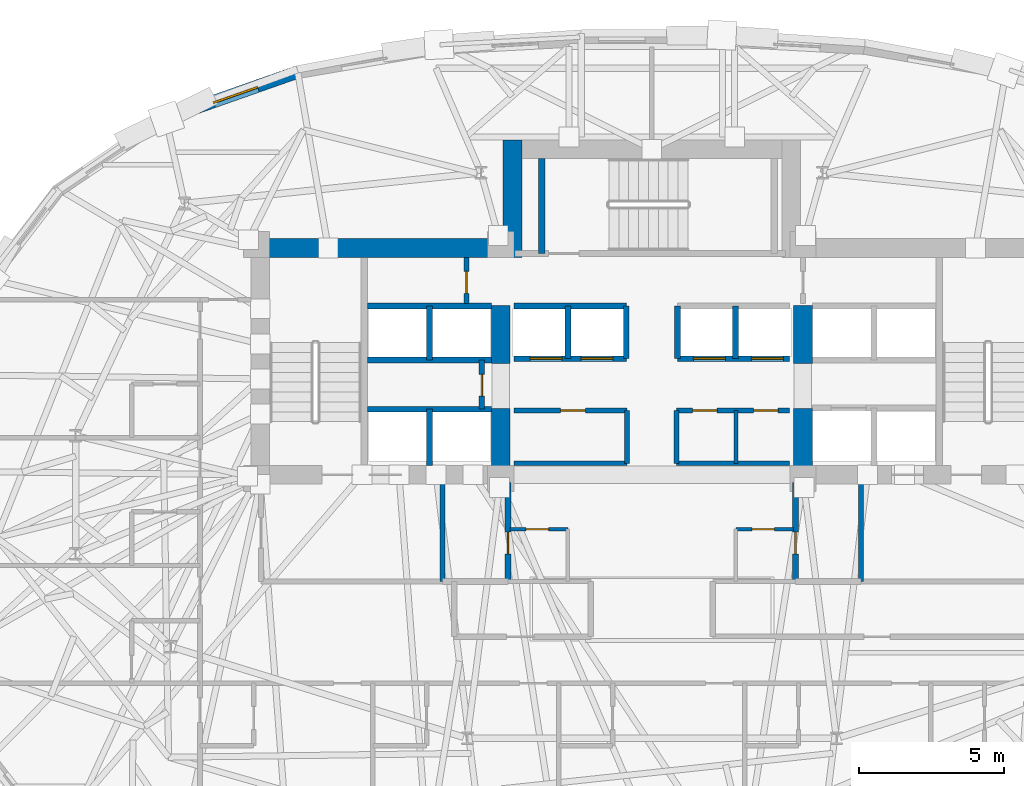
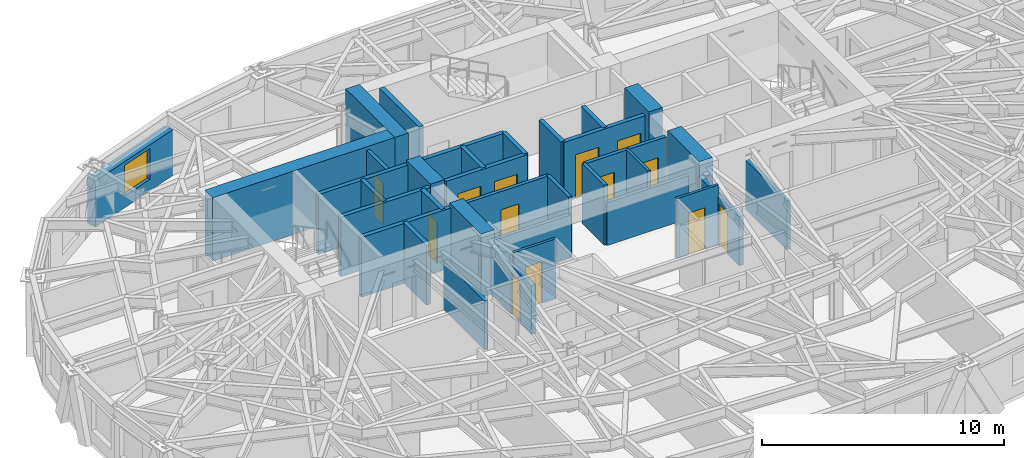
# One storey, part 8 of 15: 35 walls, 13 doors, 1 window, 14 openings.
"""IFC4 building model written with IfcOpenShell, lengths in metres."""

from ifc_helpers import new_model, si_unit, direction, frame, frame_2d, origin, place, context, subcontext, project, spatial, rectangle, extrude, material, layer, layer_set, type_object, element, fill, save


model = new_model("IFC4")

# Units and contexts
model_context = context("Model", 3, precision=1e-05, world=origin(), true_north=direction((0.0, 1.0)))
body_context = subcontext(model_context, "Body", "Model", "MODEL_VIEW")
ifc_project = project(units=[si_unit("LENGTHUNIT", "METRE"), si_unit("AREAUNIT", "SQUARE_METRE"), si_unit("VOLUMEUNIT", "CUBIC_METRE"), si_unit("PLANEANGLEUNIT", "RADIAN"), si_unit("MASSUNIT", "GRAM", prefix="KILO")], contexts=[model_context])

# Site, building, storey
site_placement = place(None, origin())
site = spatial("IfcSite", under=ifc_project, at=site_placement, CompositionType="ELEMENT")
building_placement = place(site_placement, origin())
building = spatial("IfcBuilding", under=site, at=building_placement, Name="Keldmark Tower", CompositionType="ELEMENT")
storey_placement = place(building_placement, frame((0.0, 0.0, 143.800048828125)))
storey = spatial("IfcBuildingStorey", under=building, at=storey_placement, Name="L38", CompositionType="ELEMENT", Elevation=143.800048828125)

# Wall, opening, door
ifc_material_1 = material(Name="Acoustic Gypsum Board Interior Partition", Category="gypsum")
ifc_layer_1 = layer(ifc_material_1, 0.1298828125)
ifc_layer_set_1 = layer_set([ifc_layer_1], Name="Acoustic Gypsum Board Interior Partition")
wall_type_1 = type_object("IfcWallType", Name="Interior Partition 130 mm", PredefinedType="PARTITIONING", material=ifc_layer_set_1)
wall_1_placement = place(storey_placement, frame((-4.8798828125, -0.35009765625, 0.0), z_axis=(0.0, 0.0, 1.0), x_axis=(1.0, 0.0, 0.0)))
wall_1 = element("IfcWall", 1, at=wall_1_placement, inside=storey, type_object=wall_type_1, Name="L38 Interior Partition 130 mm CSC-W-N", PredefinedType="PARTITIONING", context=body_context, shape_type="SweptSolid", body=[
    extrude(rectangle(XDim=1.989990234375, YDim=0.1298828125, at=frame_2d((0.9951171875, 0.0))), origin(), (0.0, 0.0, 1.0), 3.02001953125),
])
opening_1_placement = place(wall_1_placement, frame((0.550048828125, 0.0, 0.0)))
opening_1 = element("IfcOpeningElement", 2, at=opening_1_placement, cuts=wall_1, Name="Opening D-CL078", PredefinedType="OPENING", context=body_context, shape_type="SweptSolid", body=[
    extrude(rectangle(XDim=0.780029296875, YDim=2.10009765625, at=frame_2d((0.39013671875, 1.050048828125))), frame((0.0, 0.074951171875, 0.0), z_axis=(0.0, -1.0, 0.0), x_axis=(1.0, 0.0, 0.0)), (0.0, 0.0, 1.0), 0.14990234375),
])
ifc_material_2 = material(Name="Flush Utility Closet Timber Door", Category="wood")
door_type_1 = type_object("IfcDoorType", Name="Closet Door 780x2100", OperationType="NOTDEFINED", PredefinedType="DOOR", material=ifc_material_2)
door_1_placement = place(opening_1_placement, origin())
door_1 = element("IfcDoor", 3, at=door_1_placement, inside=storey, type_object=door_type_1, Name="L38 Closet Door 780x2100 D-CSCW1-L38", OperationType="SINGLE_SWING_LEFT", OverallHeight=2.10009765625, OverallWidth=0.780029296875, PredefinedType="DOOR", context=body_context, shape_type="SweptSolid", body=[
    extrude(rectangle(XDim=0.780029296875, YDim=2.10009765625, at=frame_2d((0.39013671875, 1.050048828125))), frame((0.0, 0.02490234375, 0.0), z_axis=(0.0, -1.0, 0.0), x_axis=(1.0, 0.0, 0.0)), (0.0, 0.0, 1.0), 0.050048828125),
])
fill(opening_1, door_1)

wall_2_placement = place(storey_placement, frame((2.889892578125, -0.35009765625, 0.0), z_axis=(0.0, 0.0, 1.0), x_axis=(1.0, 0.0, 0.0)))
wall_2 = element("IfcWall", 4, at=wall_2_placement, inside=storey, type_object=wall_type_1, Name="L38 Interior Partition 130 mm CSC-E-N", PredefinedType="PARTITIONING", context=body_context, shape_type="SweptSolid", body=[
    extrude(rectangle(XDim=1.989990234375, YDim=0.1298828125, at=frame_2d((0.9951171875, 0.0))), origin(), (0.0, 0.0, 1.0), 3.02001953125),
])
opening_2_placement = place(wall_2_placement, frame((0.550048828125, 0.0, 0.0)))
opening_2 = element("IfcOpeningElement", 5, at=opening_2_placement, cuts=wall_2, Name="Opening D-CL078", PredefinedType="OPENING", context=body_context, shape_type="SweptSolid", body=[
    extrude(rectangle(XDim=0.780029296875, YDim=2.10009765625, at=frame_2d((0.39013671875, 1.050048828125))), frame((0.0, 0.074951171875, 0.0), z_axis=(0.0, -1.0, 0.0), x_axis=(1.0, 0.0, 0.0)), (0.0, 0.0, 1.0), 0.14990234375),
])
door_2_placement = place(opening_2_placement, origin())
door_2 = element("IfcDoor", 6, at=door_2_placement, inside=storey, type_object=door_type_1, Name="L38 Closet Door 780x2100 D-CSCE1-L38", OperationType="SINGLE_SWING_RIGHT", OverallHeight=2.10009765625, OverallWidth=0.780029296875, PredefinedType="DOOR", context=body_context, shape_type="SweptSolid", body=[
    extrude(rectangle(XDim=0.780029296875, YDim=2.10009765625, at=frame_2d((0.39013671875, 1.050048828125))), frame((0.0, 0.02490234375, 0.0), z_axis=(0.0, -1.0, 0.0), x_axis=(1.0, 0.0, 0.0)), (0.0, 0.0, 1.0), 0.050048828125),
])
fill(opening_2, door_2)

# Walls
wall_3_placement = place(storey_placement, frame((2.89990234375, 1.919921875, 0.0), z_axis=(0.0, 0.0, 1.0), x_axis=(0.0, 1.0, 0.0)))
element("IfcWall", 7, at=wall_3_placement, inside=storey, type_object=wall_type_1, Name="L38 Interior Partition 130 mm REC-LE-M", PredefinedType="PARTITIONING", context=body_context, shape_type="SweptSolid", body=[
    extrude(rectangle(XDim=1.820068359375, YDim=0.1298828125, at=frame_2d((0.91015625, 0.0))), origin(), (0.0, 0.0, 1.0), 3.02001953125),
])
ifc_material_3 = material(Name="Type X Fire-Rated Gypsum Partition Assembly", Category="gypsum")
ifc_layer_2 = layer(ifc_material_3, 0.1650390625)
ifc_layer_set_2 = layer_set([ifc_layer_2], Name="Type X Fire-Rated Gypsum Partition Assembly")
wall_type_2 = type_object("IfcWallType", Name="Rated Partition 165 mm", PredefinedType="PARTITIONING", material=ifc_layer_set_2)
for number, where, z_axis, x_axis, name in (
    (8, (-7.199951171875, -2.14990234375, 0.0), (0.0, 0.0, 1.0), (0.0, 1.0, 0.0), "L38 Rated Partition 165 mm FSAE-W-E"),
    (9, (7.199951171875, -2.14990234375, 0.0), (0.0, 0.0, 1.0), (0.0, 1.0, 0.0), "L38 Rated Partition 165 mm FSAE-E-W"),
):
    element("IfcWall", number, at=place(storey_placement, frame(where, z_axis=z_axis, x_axis=x_axis)), inside=storey, type_object=wall_type_2, Name=name, PredefinedType="PARTITIONING", context=body_context, shape_type="SweptSolid", body=[
        extrude(rectangle(XDim=3.39990234375, YDim=0.1650390625, at=frame_2d((1.699951171875, 0.0))), origin(), (0.0, 0.0, 1.0), 2.472900390625),
    ])
wall_4_placement = place(storey_placement, frame((-4.739990234375, 1.919921875, 0.0), z_axis=(0.0, 0.0, 1.0), x_axis=(1.0, 0.0, 0.0)))
element("IfcWall", 10, at=wall_4_placement, inside=storey, type_object=wall_type_2, Name="L38 Rated Partition 165 mm REC-LW-S", PredefinedType="PARTITIONING", context=body_context, shape_type="SweptSolid", body=[
    extrude(rectangle(XDim=3.889892578125, YDim=0.1650390625, at=frame_2d((1.94482421875, 0.0))), origin(), (0.0, 0.0, 1.0), 2.159912109375),
])

# Wall, opening, door
wall_5_placement = place(storey_placement, frame((-4.739990234375, 3.739990234375, 0.0), z_axis=(0.0, 0.0, 1.0), x_axis=(1.0, 0.0, 0.0)))
wall_5 = element("IfcWall", 11, at=wall_5_placement, inside=storey, type_object=wall_type_2, Name="L38 Rated Partition 165 mm REC-LW-N", PredefinedType="PARTITIONING", context=body_context, shape_type="SweptSolid", body=[
    extrude(rectangle(XDim=3.889892578125, YDim=0.1650390625, at=frame_2d((1.94482421875, 0.0))), origin(), (0.0, 0.0, 1.0), 3.02001953125),
])
opening_3_placement = place(wall_5_placement, frame((1.60009765625, 0.0, 0.0)))
opening_3 = element("IfcOpeningElement", 12, at=opening_3_placement, cuts=wall_5, Name="Opening D-SV085", PredefinedType="OPENING", context=body_context, shape_type="SweptSolid", body=[
    extrude(rectangle(XDim=0.85009765625, YDim=2.10009765625, at=frame_2d((0.425048828125, 1.050048828125))), frame((0.0, 0.092529296875, 0.0), z_axis=(0.0, -1.0, 0.0), x_axis=(1.0, 0.0, 0.0)), (0.0, 0.0, 1.0), 0.18505859375),
])
ifc_material_4 = material(Name="Painted Hollow Metal Door Assembly", Category="metal")
door_type_2 = type_object("IfcDoorType", Name="Service Door 850x2100", OperationType="NOTDEFINED", PredefinedType="DOOR", material=ifc_material_4)
door_3_placement = place(opening_3_placement, origin())
door_3 = element("IfcDoor", 13, at=door_3_placement, inside=storey, type_object=door_type_2, Name="L38 Service Door 850x2100 D-RECLW1-L38", OperationType="SINGLE_SWING_LEFT", OverallHeight=2.10009765625, OverallWidth=0.85009765625, PredefinedType="DOOR", context=body_context, shape_type="SweptSolid", body=[
    extrude(rectangle(XDim=0.85009765625, YDim=2.10009765625, at=frame_2d((0.425048828125, 1.050048828125))), frame((0.0, 0.02490234375, 0.0), z_axis=(0.0, -1.0, 0.0), x_axis=(1.0, 0.0, 0.0)), (0.0, 0.0, 1.0), 0.050048828125),
])
fill(opening_3, door_3)

# Walls
wall_6_placement = place(storey_placement, frame((-0.85009765625, 1.919921875, 0.0), z_axis=(0.0, 0.0, 1.0), x_axis=(0.0, 1.0, 0.0)))
element("IfcWall", 14, at=wall_6_placement, inside=storey, type_object=wall_type_2, Name="L38 Rated Partition 165 mm REC-LW-E", PredefinedType="PARTITIONING", context=body_context, shape_type="SweptSolid", body=[
    extrude(rectangle(XDim=1.820068359375, YDim=0.1650390625, at=frame_2d((0.91015625, 0.0))), origin(), (0.0, 0.0, 1.0), 3.02001953125),
])
wall_7_placement = place(storey_placement, frame((0.85009765625, 1.919921875, 0.0), z_axis=(0.0, 0.0, 1.0), x_axis=(1.0, 0.0, 0.0)))
element("IfcWall", 15, at=wall_7_placement, inside=storey, type_object=wall_type_2, Name="L38 Rated Partition 165 mm REC-LE-S", PredefinedType="PARTITIONING", context=body_context, shape_type="SweptSolid", body=[
    extrude(rectangle(XDim=3.889892578125, YDim=0.1650390625, at=frame_2d((1.94482421875, 0.0))), origin(), (0.0, 0.0, 1.0), 2.159912109375),
])

# Wall, openings, doors
wall_8_placement = place(storey_placement, frame((0.85009765625, 3.739990234375, 0.0), z_axis=(0.0, 0.0, 1.0), x_axis=(1.0, 0.0, 0.0)))
wall_8 = element("IfcWall", 16, at=wall_8_placement, inside=storey, type_object=wall_type_2, Name="L38 Rated Partition 165 mm REC-LE-N", PredefinedType="PARTITIONING", context=body_context, shape_type="SweptSolid", body=[
    extrude(rectangle(XDim=3.889892578125, YDim=0.1650390625, at=frame_2d((1.94482421875, 0.0))), origin(), (0.0, 0.0, 1.0), 3.02001953125),
])
opening_4_placement = place(wall_8_placement, frame((0.550048828125, 0.0, 0.0)))
opening_4 = element("IfcOpeningElement", 17, at=opening_4_placement, cuts=wall_8, Name="Opening D-SV085", PredefinedType="OPENING", context=body_context, shape_type="SweptSolid", body=[
    extrude(rectangle(XDim=0.85009765625, YDim=2.10009765625, at=frame_2d((0.425048828125, 1.050048828125))), frame((0.0, 0.092529296875, 0.0), z_axis=(0.0, -1.0, 0.0), x_axis=(1.0, 0.0, 0.0)), (0.0, 0.0, 1.0), 0.18505859375),
])
opening_5_placement = place(wall_8_placement, frame((2.64990234375, 0.0, 0.0)))
opening_5 = element("IfcOpeningElement", 18, at=opening_5_placement, cuts=wall_8, Name="Opening D-SV085", PredefinedType="OPENING", context=body_context, shape_type="SweptSolid", body=[
    extrude(rectangle(XDim=0.85009765625, YDim=2.10009765625, at=frame_2d((0.425048828125, 1.050048828125))), frame((0.0, 0.092529296875, 0.0), z_axis=(0.0, -1.0, 0.0), x_axis=(1.0, 0.0, 0.0)), (0.0, 0.0, 1.0), 0.18505859375),
])
door_4_placement = place(opening_4_placement, origin())
door_4 = element("IfcDoor", 19, at=door_4_placement, inside=storey, type_object=door_type_2, Name="L38 Service Door 850x2100 D-RECLE1-L38", OperationType="SINGLE_SWING_LEFT", OverallHeight=2.10009765625, OverallWidth=0.85009765625, PredefinedType="DOOR", context=body_context, shape_type="SweptSolid", body=[
    extrude(rectangle(XDim=0.85009765625, YDim=2.10009765625, at=frame_2d((0.425048828125, 1.050048828125))), frame((0.0, 0.02490234375, 0.0), z_axis=(0.0, -1.0, 0.0), x_axis=(1.0, 0.0, 0.0)), (0.0, 0.0, 1.0), 0.050048828125),
])
fill(opening_4, door_4)
door_5_placement = place(opening_5_placement, origin())
door_5 = element("IfcDoor", 20, at=door_5_placement, inside=storey, type_object=door_type_2, Name="L38 Service Door 850x2100 D-RECLE2-L38", OperationType="SINGLE_SWING_RIGHT", OverallHeight=2.10009765625, OverallWidth=0.85009765625, PredefinedType="DOOR", context=body_context, shape_type="SweptSolid", body=[
    extrude(rectangle(XDim=0.85009765625, YDim=2.10009765625, at=frame_2d((0.425048828125, 1.050048828125))), frame((0.0, 0.02490234375, 0.0), z_axis=(0.0, -1.0, 0.0), x_axis=(1.0, 0.0, 0.0)), (0.0, 0.0, 1.0), 0.050048828125),
])
fill(opening_5, door_5)

# Wall
wall_9_placement = place(storey_placement, frame((0.85009765625, 1.919921875, 0.0), z_axis=(0.0, 0.0, 1.0), x_axis=(0.0, 1.0, 0.0)))
element("IfcWall", 21, at=wall_9_placement, inside=storey, type_object=wall_type_2, Name="L38 Rated Partition 165 mm REC-LE-W", PredefinedType="PARTITIONING", context=body_context, shape_type="SweptSolid", body=[
    extrude(rectangle(XDim=1.820068359375, YDim=0.1650390625, at=frame_2d((0.91015625, 0.0))), origin(), (0.0, 0.0, 1.0), 3.02001953125),
])

# Wall, opening, door
wall_10_placement = place(storey_placement, frame((-6.3798828125, 7.419921875, 0.0), z_axis=(0.0, 0.0, 1.0), x_axis=(0.0, 1.0, 0.0)))
wall_10 = element("IfcWall", 22, at=wall_10_placement, inside=storey, type_object=wall_type_2, Name="L38 Rated Partition 165 mm CS-NW-E", PredefinedType="PARTITIONING", context=body_context, shape_type="SweptSolid", body=[
    extrude(rectangle(XDim=1.580078125, YDim=0.1650390625, at=frame_2d((0.7900390625, 0.0))), origin(), (0.0, 0.0, 1.0), 3.02001953125),
])
opening_6_placement = place(wall_10_placement, frame((0.35009765625, 0.0, 0.0)))
opening_6 = element("IfcOpeningElement", 23, at=opening_6_placement, cuts=wall_10, Name="Opening D-RS075", PredefinedType="OPENING", context=body_context, shape_type="SweptSolid", body=[
    extrude(rectangle(XDim=0.75, YDim=2.10009765625, at=frame_2d((0.375, 1.050048828125))), frame((0.0, 0.092529296875, 0.0), z_axis=(0.0, -1.0, 0.0), x_axis=(1.0, 0.0, 0.0)), (0.0, 0.0, 1.0), 0.18505859375),
])
ifc_material_5 = material(Name="Galvanized Fire-Rated Access Leaf", Category="metal")
door_type_3 = type_object("IfcDoorType", Name="Riser Access Door 750x2100", OperationType="NOTDEFINED", PredefinedType="DOOR", material=ifc_material_5)
door_6_placement = place(opening_6_placement, origin())
door_6 = element("IfcDoor", 24, at=door_6_placement, inside=storey, type_object=door_type_3, Name="L38 Riser Access Door 750x2100 D-CSNW1-L38", OperationType="SINGLE_SWING_RIGHT", OverallHeight=2.10009765625, OverallWidth=0.75, PredefinedType="DOOR", context=body_context, shape_type="SweptSolid", body=[
    extrude(rectangle(XDim=0.75, YDim=2.10009765625, at=frame_2d((0.375, 1.050048828125))), frame((0.0, 0.02490234375, 0.0), z_axis=(0.0, -1.0, 0.0), x_axis=(1.0, 0.0, 0.0)), (0.0, 0.0, 1.0), 0.050048828125),
])
fill(opening_6, door_6)

ifc_material_6 = material(Name="Fire-Resistant Type X Gypsum Shaftliner Coreboard", Category="gypsum")
ifc_layer_3 = layer(ifc_material_6, 0.199951171875)
ifc_layer_set_3 = layer_set([ifc_layer_3], Name="Fire-Resistant Type X Gypsum Shaftliner Coreboard")
wall_type_3 = type_object("IfcWallType", Name="Shaft Wall 200 mm", PredefinedType="SOLIDWALL", material=ifc_layer_set_3)
wall_11_placement = place(storey_placement, frame((-4.949951171875, -2.14990234375, 0.0), z_axis=(0.0, 0.0, 1.0), x_axis=(0.0, 1.0, 0.0)))
wall_11 = element("IfcWall", 25, at=wall_11_placement, inside=storey, type_object=wall_type_3, Name="L38 Shaft Wall 200 mm RIS-SW-E", PredefinedType="SOLIDWALL", context=body_context, shape_type="SweptSolid", body=[
    extrude(rectangle(XDim=3.39990234375, YDim=0.199951171875, at=frame_2d((1.699951171875, 0.0))), origin(), (0.0, 0.0, 1.0), 2.472900390625),
])
opening_7_placement = place(wall_11_placement, frame((0.949951171875, 0.0, 0.0)))
opening_7 = element("IfcOpeningElement", 26, at=opening_7_placement, cuts=wall_11, Name="Opening D-RS075", PredefinedType="OPENING", context=body_context, shape_type="SweptSolid", body=[
    extrude(rectangle(XDim=0.75, YDim=2.10009765625, at=frame_2d((0.375, 1.050048828125))), frame((0.0, 0.10986328125, 0.0), z_axis=(0.0, -1.0, 0.0), x_axis=(1.0, 0.0, 0.0)), (0.0, 0.0, 1.0), 0.219970703125),
])
door_7_placement = place(opening_7_placement, origin())
door_7 = element("IfcDoor", 27, at=door_7_placement, inside=storey, type_object=door_type_3, Name="L38 Riser Access Door 750x2100 D-RISSW-L38", OperationType="SINGLE_SWING_RIGHT", OverallHeight=2.10009765625, OverallWidth=0.75, PredefinedType="DOOR", context=body_context, shape_type="SweptSolid", body=[
    extrude(rectangle(XDim=0.75, YDim=2.10009765625, at=frame_2d((0.375, 1.050048828125))), frame((0.0, 0.02490234375, 0.0), z_axis=(0.0, -1.0, 0.0), x_axis=(1.0, 0.0, 0.0)), (0.0, 0.0, 1.0), 0.050048828125),
])
fill(opening_7, door_7)

wall_12_placement = place(storey_placement, frame((4.949951171875, -2.14990234375, 0.0), z_axis=(0.0, 0.0, 1.0), x_axis=(0.0, 1.0, 0.0)))
wall_12 = element("IfcWall", 28, at=wall_12_placement, inside=storey, type_object=wall_type_3, Name="L38 Shaft Wall 200 mm RIS-SE-W", PredefinedType="SOLIDWALL", context=body_context, shape_type="SweptSolid", body=[
    extrude(rectangle(XDim=3.39990234375, YDim=0.199951171875, at=frame_2d((1.699951171875, 0.0))), origin(), (0.0, 0.0, 1.0), 2.472900390625),
])
opening_8_placement = place(wall_12_placement, frame((0.949951171875, 0.0, 0.0)))
opening_8 = element("IfcOpeningElement", 29, at=opening_8_placement, cuts=wall_12, Name="Opening D-RS075", PredefinedType="OPENING", context=body_context, shape_type="SweptSolid", body=[
    extrude(rectangle(XDim=0.75, YDim=2.10009765625, at=frame_2d((0.375, 1.050048828125))), frame((0.0, 0.10986328125, 0.0), z_axis=(0.0, -1.0, 0.0), x_axis=(1.0, 0.0, 0.0)), (0.0, 0.0, 1.0), 0.219970703125),
])
door_8_placement = place(opening_8_placement, origin())
door_8 = element("IfcDoor", 30, at=door_8_placement, inside=storey, type_object=door_type_3, Name="L38 Riser Access Door 750x2100 D-RISSE-L38", OperationType="SINGLE_SWING_LEFT", OverallHeight=2.10009765625, OverallWidth=0.75, PredefinedType="DOOR", context=body_context, shape_type="SweptSolid", body=[
    extrude(rectangle(XDim=0.75, YDim=2.10009765625, at=frame_2d((0.375, 1.050048828125))), frame((0.0, 0.02490234375, 0.0), z_axis=(0.0, -1.0, 0.0), x_axis=(1.0, 0.0, 0.0)), (0.0, 0.0, 1.0), 0.050048828125),
])
fill(opening_8, door_8)

# Walls
wall_13_placement = place(storey_placement, frame((-9.780029296875, 3.780029296875, 0.0), z_axis=(0.0, 0.0, 1.0), x_axis=(1.0, 0.0, 0.0)))
element("IfcWall", 31, at=wall_13_placement, inside=storey, type_object=wall_type_3, Name="L38 Shaft Wall 200 mm HW-W-S", PredefinedType="SOLIDWALL", context=body_context, shape_type="SweptSolid", body=[
    extrude(rectangle(XDim=4.255126953125, YDim=0.199951171875, at=frame_2d((2.12744140625, 0.0))), origin(), (0.0, 0.0, 1.0), 3.02001953125),
])
wall_14_placement = place(storey_placement, frame((-7.64990234375, 1.85009765625, 0.0), z_axis=(0.0, 0.0, 1.0), x_axis=(0.0, 1.0, 0.0)))
element("IfcWall", 32, at=wall_14_placement, inside=storey, type_object=wall_type_3, Name="L38 Shaft Wall 200 mm HW-W-M", PredefinedType="SOLIDWALL", context=body_context, shape_type="SweptSolid", body=[
    extrude(rectangle(XDim=1.929931640625, YDim=0.199951171875, at=frame_2d((0.96484375, 0.0))), origin(), (0.0, 0.0, 1.0), 3.02001953125),
])
for number, where, z_axis, x_axis, name in (
    (33, (-9.780029296875, 5.469970703125, 0.0), (0.0, 0.0, 1.0), (1.0, 0.0, 0.0), "L38 Shaft Wall 200 mm HW-W-N"),
    (34, (-9.780029296875, 7.330078125, 0.0), (0.0, 0.0, 1.0), (1.0, 0.0, 0.0), "L38 Shaft Wall 200 mm HW-W-TOP"),
):
    element("IfcWall", number, at=place(storey_placement, frame(where, z_axis=z_axis, x_axis=x_axis)), inside=storey, type_object=wall_type_3, Name=name, PredefinedType="SOLIDWALL", context=body_context, shape_type="SweptSolid", body=[
        extrude(rectangle(XDim=4.255126953125, YDim=0.199951171875, at=frame_2d((2.12744140625, 0.0))), origin(), (0.0, 0.0, 1.0), 3.02001953125),
    ])
wall_15_placement = place(storey_placement, frame((-7.64990234375, 5.469970703125, 0.0), z_axis=(0.0, 0.0, 1.0), x_axis=(0.0, 1.0, 0.0)))
element("IfcWall", 35, at=wall_15_placement, inside=storey, type_object=wall_type_3, Name="L38 Shaft Wall 200 mm HW-W-NM", PredefinedType="SOLIDWALL", context=body_context, shape_type="SweptSolid", body=[
    extrude(rectangle(XDim=1.860107421875, YDim=0.199951171875, at=frame_2d((0.93017578125, 0.0))), origin(), (0.0, 0.0, 1.0), 3.02001953125),
])

# Wall, opening, door
wall_16_placement = place(storey_placement, frame((-5.85009765625, 3.780029296875, 0.0), z_axis=(0.0, 0.0, 1.0), x_axis=(0.0, 1.0, 0.0)))
wall_16 = element("IfcWall", 36, at=wall_16_placement, inside=storey, type_object=wall_type_3, Name="L38 Shaft Wall 200 mm HW-W-CLOSE", PredefinedType="SOLIDWALL", context=body_context, shape_type="SweptSolid", body=[
    extrude(rectangle(XDim=1.68994140625, YDim=0.199951171875, at=frame_2d((0.844970703125, 0.0))), origin(), (0.0, 0.0, 1.0), 3.02001953125),
])
opening_9_placement = place(wall_16_placement, frame((0.449951171875, 0.0, 0.0)))
opening_9 = element("IfcOpeningElement", 37, at=opening_9_placement, cuts=wall_16, Name="Opening D-RS075", PredefinedType="OPENING", context=body_context, shape_type="SweptSolid", body=[
    extrude(rectangle(XDim=0.75, YDim=2.10009765625, at=frame_2d((0.375, 1.050048828125))), frame((0.0, 0.10986328125, 0.0), z_axis=(0.0, -1.0, 0.0), x_axis=(1.0, 0.0, 0.0)), (0.0, 0.0, 1.0), 0.219970703125),
])
door_9_placement = place(opening_9_placement, origin())
door_9 = element("IfcDoor", 38, at=door_9_placement, inside=storey, type_object=door_type_3, Name="L38 Riser Access Door 750x2100 D-RISHW-L38", OperationType="SINGLE_SWING_RIGHT", OverallHeight=2.10009765625, OverallWidth=0.75, PredefinedType="DOOR", context=body_context, shape_type="SweptSolid", body=[
    extrude(rectangle(XDim=0.75, YDim=2.10009765625, at=frame_2d((0.375, 1.050048828125))), frame((0.0, 0.02490234375, 0.0), z_axis=(0.0, -1.0, 0.0), x_axis=(1.0, 0.0, 0.0)), (0.0, 0.0, 1.0), 0.050048828125),
])
fill(opening_9, door_9)

# Wall, openings, doors
wall_17_placement = place(storey_placement, frame((-4.739990234375, 5.52001953125, 0.0), z_axis=(0.0, 0.0, 1.0), x_axis=(1.0, 0.0, 0.0)))
wall_17 = element("IfcWall", 39, at=wall_17_placement, inside=storey, type_object=wall_type_3, Name="L38 Shaft Wall 200 mm MID-S-W", PredefinedType="SOLIDWALL", context=body_context, shape_type="SweptSolid", body=[
    extrude(rectangle(XDim=3.860107421875, YDim=0.199951171875, at=frame_2d((1.93017578125, 0.0))), origin(), (0.0, 0.0, 1.0), 3.02001953125),
])
opening_10_placement = place(wall_17_placement, frame((0.550048828125, 0.0, 0.0)))
opening_10 = element("IfcOpeningElement", 40, at=opening_10_placement, cuts=wall_17, Name="Opening LD-110", PredefinedType="OPENING", context=body_context, shape_type="SweptSolid", body=[
    extrude(rectangle(XDim=1.10009765625, YDim=2.199951171875, at=frame_2d((0.550048828125, 1.10009765625))), frame((0.0, 0.10986328125, 0.0), z_axis=(0.0, -1.0, 0.0), x_axis=(1.0, 0.0, 0.0)), (0.0, 0.0, 1.0), 0.219970703125),
])
opening_11_placement = place(wall_17_placement, frame((2.300048828125, 0.0, 0.0)))
opening_11 = element("IfcOpeningElement", 41, at=opening_11_placement, cuts=wall_17, Name="Opening LD-110", PredefinedType="OPENING", context=body_context, shape_type="SweptSolid", body=[
    extrude(rectangle(XDim=1.10009765625, YDim=2.199951171875, at=frame_2d((0.550048828125, 1.10009765625))), frame((0.0, 0.10986328125, 0.0), z_axis=(0.0, -1.0, 0.0), x_axis=(1.0, 0.0, 0.0)), (0.0, 0.0, 1.0), 0.219970703125),
])
ifc_material_7 = material(Name="Brushed Bronze Hoistway Sliding Leaf", Category="metal")
door_type_4 = type_object("IfcDoorType", Name="Lift Landing Sliding Door 1100x2200", OperationType="SLIDING_TO_LEFT", PredefinedType="DOOR", material=ifc_material_7)
door_10_placement = place(opening_10_placement, origin())
door_10 = element("IfcDoor", 42, at=door_10_placement, inside=storey, type_object=door_type_4, Name="L38 Lift Landing Sliding Door 1100x2200 LD-EL-M1-L38", OperationType="SLIDING_TO_LEFT", OverallHeight=2.199951171875, OverallWidth=1.10009765625, PredefinedType="DOOR", context=body_context, shape_type="SweptSolid", body=[
    extrude(rectangle(XDim=1.10009765625, YDim=2.199951171875, at=frame_2d((0.550048828125, 1.10009765625))), frame((0.0, 0.02490234375, 0.0), z_axis=(0.0, -1.0, 0.0), x_axis=(1.0, 0.0, 0.0)), (0.0, 0.0, 1.0), 0.050048828125),
])
fill(opening_10, door_10)
door_11_placement = place(opening_11_placement, origin())
door_11 = element("IfcDoor", 43, at=door_11_placement, inside=storey, type_object=door_type_4, Name="L38 Lift Landing Sliding Door 1100x2200 LD-EL-M2-L38", OperationType="SLIDING_TO_LEFT", OverallHeight=2.199951171875, OverallWidth=1.10009765625, PredefinedType="DOOR", context=body_context, shape_type="SweptSolid", body=[
    extrude(rectangle(XDim=1.10009765625, YDim=2.199951171875, at=frame_2d((0.550048828125, 1.10009765625))), frame((0.0, 0.02490234375, 0.0), z_axis=(0.0, -1.0, 0.0), x_axis=(1.0, 0.0, 0.0)), (0.0, 0.0, 1.0), 0.050048828125),
])
fill(opening_11, door_11)

wall_18_placement = place(storey_placement, frame((0.8798828125, 5.52001953125, 0.0), z_axis=(0.0, 0.0, 1.0), x_axis=(1.0, 0.0, 0.0)))
wall_18 = element("IfcWall", 44, at=wall_18_placement, inside=storey, type_object=wall_type_3, Name="L38 Shaft Wall 200 mm MID-S-E", PredefinedType="SOLIDWALL", context=body_context, shape_type="SweptSolid", body=[
    extrude(rectangle(XDim=3.860107421875, YDim=0.199951171875, at=frame_2d((1.93017578125, 0.0))), origin(), (0.0, 0.0, 1.0), 3.02001953125),
])
opening_12_placement = place(wall_18_placement, frame((0.550048828125, 0.0, 0.0)))
opening_12 = element("IfcOpeningElement", 45, at=opening_12_placement, cuts=wall_18, Name="Opening LD-110", PredefinedType="OPENING", context=body_context, shape_type="SweptSolid", body=[
    extrude(rectangle(XDim=1.10009765625, YDim=2.199951171875, at=frame_2d((0.550048828125, 1.10009765625))), frame((0.0, 0.10986328125, 0.0), z_axis=(0.0, -1.0, 0.0), x_axis=(1.0, 0.0, 0.0)), (0.0, 0.0, 1.0), 0.219970703125),
])
opening_13_placement = place(wall_18_placement, frame((2.550048828125, 0.0, 0.0)))
opening_13 = element("IfcOpeningElement", 46, at=opening_13_placement, cuts=wall_18, Name="Opening LD-110", PredefinedType="OPENING", context=body_context, shape_type="SweptSolid", body=[
    extrude(rectangle(XDim=1.10009765625, YDim=2.199951171875, at=frame_2d((0.550048828125, 1.10009765625))), frame((0.0, 0.10986328125, 0.0), z_axis=(0.0, -1.0, 0.0), x_axis=(1.0, 0.0, 0.0)), (0.0, 0.0, 1.0), 0.219970703125),
])
door_12_placement = place(opening_12_placement, origin())
door_12 = element("IfcDoor", 47, at=door_12_placement, inside=storey, type_object=door_type_4, Name="L38 Lift Landing Sliding Door 1100x2200 LD-EL-M3-L38", OperationType="SLIDING_TO_LEFT", OverallHeight=2.199951171875, OverallWidth=1.10009765625, PredefinedType="DOOR", context=body_context, shape_type="SweptSolid", body=[
    extrude(rectangle(XDim=1.10009765625, YDim=2.199951171875, at=frame_2d((0.550048828125, 1.10009765625))), frame((0.0, 0.02490234375, 0.0), z_axis=(0.0, -1.0, 0.0), x_axis=(1.0, 0.0, 0.0)), (0.0, 0.0, 1.0), 0.050048828125),
])
fill(opening_12, door_12)
door_13_placement = place(opening_13_placement, origin())
door_13 = element("IfcDoor", 48, at=door_13_placement, inside=storey, type_object=door_type_4, Name="L38 Lift Landing Sliding Door 1100x2200 LD-EL-M4-L38", OperationType="SLIDING_TO_LEFT", OverallHeight=2.199951171875, OverallWidth=1.10009765625, PredefinedType="DOOR", context=body_context, shape_type="SweptSolid", body=[
    extrude(rectangle(XDim=1.10009765625, YDim=2.199951171875, at=frame_2d((0.550048828125, 1.10009765625))), frame((0.0, 0.02490234375, 0.0), z_axis=(0.0, -1.0, 0.0), x_axis=(1.0, 0.0, 0.0)), (0.0, 0.0, 1.0), 0.050048828125),
])
fill(opening_13, door_13)

# Walls
wall_19_placement = place(storey_placement, frame((-4.739990234375, 7.330078125, 0.0), z_axis=(0.0, 0.0, 1.0), x_axis=(1.0, 0.0, 0.0)))
element("IfcWall", 49, at=wall_19_placement, inside=storey, type_object=wall_type_3, Name="L38 Shaft Wall 200 mm MID-N-W", PredefinedType="SOLIDWALL", context=body_context, shape_type="SweptSolid", body=[
    extrude(rectangle(XDim=3.860107421875, YDim=0.199951171875, at=frame_2d((1.93017578125, 0.0))), origin(), (0.0, 0.0, 1.0), 3.02001953125),
])
for number, where, z_axis, x_axis, name in (
    (50, (-2.8798828125, 5.52001953125, 0.0), (0.0, 0.0, 1.0), (0.0, 1.0, 0.0), "L38 Shaft Wall 200 mm MID-M-W"),
    (51, (2.8798828125, 5.52001953125, 0.0), (0.0, 0.0, 1.0), (0.0, 1.0, 0.0), "L38 Shaft Wall 200 mm MID-M-E"),
    (52, (-0.8798828125, 5.52001953125, 0.0), (0.0, 0.0, 1.0), (0.0, 1.0, 0.0), "L38 Shaft Wall 200 mm MID-C-W"),
    (53, (0.8798828125, 5.52001953125, 0.0), (0.0, 0.0, 1.0), (0.0, 1.0, 0.0), "L38 Shaft Wall 200 mm MID-C-E"),
):
    element("IfcWall", number, at=place(storey_placement, frame(where, z_axis=z_axis, x_axis=x_axis)), inside=storey, type_object=wall_type_3, Name=name, PredefinedType="SOLIDWALL", context=body_context, shape_type="SweptSolid", body=[
        extrude(rectangle(XDim=1.81005859375, YDim=0.199951171875, at=frame_2d((0.905029296875, 0.0))), origin(), (0.0, 0.0, 1.0), 3.02001953125),
    ])
ifc_material_8 = material(Name="Concrete C50/60", Category="concrete")
ifc_layer_4 = layer(ifc_material_8, 0.219970703125)
ifc_layer_set_4 = layer_set([ifc_layer_4], Name="Concrete C50/60")
wall_type_4 = type_object("IfcWallType", Name="Stair Core Shear Wall 220 mm", PredefinedType="SHEAR", material=ifc_layer_set_4)
wall_20_placement = place(storey_placement, frame((-3.784912109375, 9.139892578125, 0.0), z_axis=(0.0, 0.0, 1.0), x_axis=(0.0, 1.0, 0.0)))
element("IfcWall", 54, at=wall_20_placement, inside=storey, type_object=wall_type_4, Name="L38 Central Stair Core West Shear Wall", PredefinedType="SHEAR", context=body_context, shape_type="SweptSolid", body=[
    extrude(rectangle(XDim=3.260009765625, YDim=0.219970703125, at=frame_2d((1.6298828125, 0.0))), origin(), (0.0, 0.0, 1.0), 3.199951171875),
])

# Wall, opening, window
ifc_material_9 = material(Name="Ironspot Manganese Brick and Kasota Buff Limestone Spandrel Assembly", Category="masonry")
ifc_layer_5 = layer(ifc_material_9, 0.43994140625)
ifc_layer_set_5 = layer_set([ifc_layer_5], Name="Ironspot Manganese Brick and Kasota Buff Limestone Spandrel Assembly")
wall_type_5 = type_object("IfcWallType", Name="Tower Brick Pier and Spandrel Wall 440 mm", PredefinedType="STANDARD", material=ifc_layer_set_5)
wall_21_placement = place(storey_placement, frame((-16.833251953125, 13.755615234375, 0.0), z_axis=(0.0, 0.0, 1.0), x_axis=(0.943528860281, 0.331290340662, 0.0)))
wall_21 = element("IfcWall", 55, at=wall_21_placement, inside=storey, type_object=wall_type_5, Name="L38 Exterior Brick and Spandrel Wall 11", PredefinedType="STANDARD", context=body_context, shape_type="SweptSolid", body=[
    extrude(rectangle(XDim=4.893310546875, YDim=0.43994140625, at=frame_2d((2.44677734375, 0.0))), origin(), (0.0, 0.0, 1.0), 2.31494140625),
])
opening_14_placement = place(wall_21_placement, frame((1.84619140625, 0.0, 0.580078125)))
opening_14 = element("IfcOpeningElement", 56, at=opening_14_placement, cuts=wall_21, Name="Opening W-04", PredefinedType="OPENING", context=body_context, shape_type="SweptSolid", body=[
    extrude(rectangle(XDim=1.60009765625, YDim=1.550048828125, at=frame_2d((0.800048828125, 0.77490234375))), frame((0.0, 0.22998046875, 0.0), z_axis=(0.0, -1.0, 0.0), x_axis=(1.0, 0.0, 0.0)), (0.0, 0.0, 1.0), 0.4599609375),
])
ifc_material_10 = material(Name="Thermally Broken Anodized Aluminum and Triple Low-E Argon Glazing", Category="aluminium")
window_type = type_object("IfcWindowType", Name="Hotel Deep-Set Operable Window 1600x1550", PartitioningType="DOUBLE_PANEL_HORIZONTAL", PredefinedType="WINDOW", material=ifc_material_10)
window_placement = place(opening_14_placement, origin())
window = element("IfcWindow", 57, at=window_placement, inside=storey, type_object=window_type, Name="L38 Deep-Set Window 11", OverallHeight=1.550048828125, OverallWidth=1.60009765625, PartitioningType="SINGLE_PANEL", PredefinedType="WINDOW", context=body_context, shape_type="SweptSolid", body=[
    extrude(rectangle(XDim=1.60009765625, YDim=1.550048828125, at=frame_2d((0.800048828125, 0.77490234375))), frame((0.0, -0.010009765625, 0.0), z_axis=(0.0, -1.0, 0.0), x_axis=(1.0, 0.0, 0.0)), (0.0, 0.0, 1.0), 0.06005859375),
])
fill(opening_14, window)

# Walls
ifc_material_11 = material(Name="Concrete C50/60", Category="concrete")
ifc_layer_6 = layer(ifc_material_11, 0.64990234375)
ifc_layer_set_6 = layer_set([ifc_layer_6], Name="Concrete C50/60")
wall_type_6 = type_object("IfcWallType", Name="Upper-Mid Core Shear Wall 650 mm", PredefinedType="SHEAR", material=ifc_layer_set_6)
wall_22_placement = place(storey_placement, frame((-13.800048828125, 9.324951171875, 0.0), z_axis=(0.0, 0.0, 1.0), x_axis=(1.0, 0.0, 0.0)))
element("IfcWall", 58, at=wall_22_placement, inside=storey, type_object=wall_type_6, Name="L38 West Core North Shear Wall", PredefinedType="SHEAR", context=body_context, shape_type="SweptSolid", body=[
    extrude(rectangle(XDim=9.324951171875, YDim=0.64990234375, at=frame_2d((4.66259765625, 0.0))), origin(), (0.0, 0.0, 1.0), 3.199951171875),
])
wall_23_placement = place(storey_placement, frame((-5.199951171875, 1.199951171875, 0.0), z_axis=(0.0, 0.0, 1.0), x_axis=(0.0, 1.0, 0.0)))
element("IfcWall", 59, at=wall_23_placement, inside=storey, type_object=wall_type_6, Name="L38 West Core Inner Shear Pier South", PredefinedType="SHEAR", context=body_context, shape_type="SweptSolid", body=[
    extrude(rectangle(XDim=2.60009765625, YDim=0.64990234375, at=frame_2d((1.300048828125, 0.0))), origin(), (0.0, 0.0, 1.0), 3.199951171875),
])
wall_24_placement = place(storey_placement, frame((-5.199951171875, 5.35009765625, 0.0), z_axis=(0.0, 0.0, 1.0), x_axis=(0.0, 1.0, 0.0)))
element("IfcWall", 60, at=wall_24_placement, inside=storey, type_object=wall_type_6, Name="L38 West Core Inner Shear Pier North", PredefinedType="SHEAR", context=body_context, shape_type="SweptSolid", body=[
    extrude(rectangle(XDim=2.0, YDim=0.64990234375, at=frame_2d((1.0, 0.0))), origin(), (0.0, 0.0, 1.0), 3.199951171875),
])
wall_25_placement = place(storey_placement, frame((5.199951171875, 1.199951171875, 0.0), z_axis=(0.0, 0.0, 1.0), x_axis=(0.0, 1.0, 0.0)))
element("IfcWall", 61, at=wall_25_placement, inside=storey, type_object=wall_type_6, Name="L38 East Core Inner Shear Pier South", PredefinedType="SHEAR", context=body_context, shape_type="SweptSolid", body=[
    extrude(rectangle(XDim=2.60009765625, YDim=0.64990234375, at=frame_2d((1.300048828125, 0.0))), origin(), (0.0, 0.0, 1.0), 3.199951171875),
])
wall_26_placement = place(storey_placement, frame((5.199951171875, 5.35009765625, 0.0), z_axis=(0.0, 0.0, 1.0), x_axis=(0.0, 1.0, 0.0)))
element("IfcWall", 62, at=wall_26_placement, inside=storey, type_object=wall_type_6, Name="L38 East Core Inner Shear Pier North", PredefinedType="SHEAR", context=body_context, shape_type="SweptSolid", body=[
    extrude(rectangle(XDim=2.0, YDim=0.64990234375, at=frame_2d((1.0, 0.0))), origin(), (0.0, 0.0, 1.0), 3.199951171875),
])
wall_27_placement = place(storey_placement, frame((-4.800048828125, 9.0, 0.0), z_axis=(0.0, 0.0, 1.0), x_axis=(0.0, 1.0, 0.0)))
element("IfcWall", 63, at=wall_27_placement, inside=storey, type_object=wall_type_6, Name="L38 North Core West Shear Wall", PredefinedType="SHEAR", context=body_context, shape_type="SweptSolid", body=[
    extrude(rectangle(XDim=4.050048828125, YDim=0.64990234375, at=frame_2d((2.02490234375, 0.0))), origin(), (0.0, 0.0, 1.0), 3.199951171875),
])

save(model, "model.ifc")
